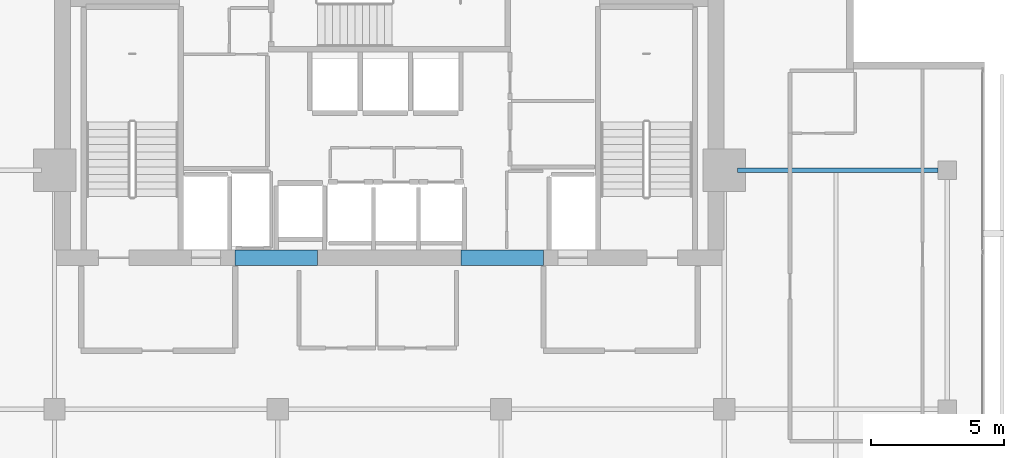
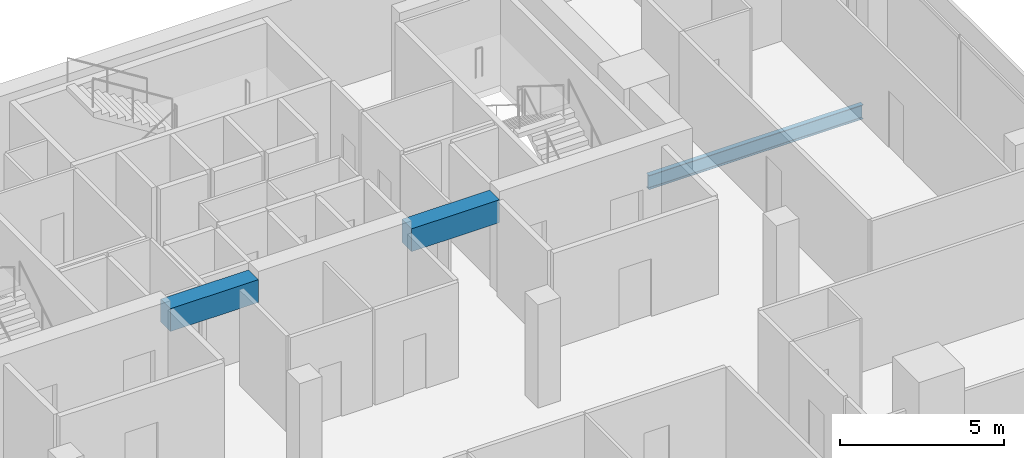
# One storey, part 17 of 26: 3 beams.
"""IFC4 building model written with IfcOpenShell, lengths in metres."""

import ifcopenshell
import ifcopenshell.guid

model = None  # the IFC model being written
_history = None  # IfcOwnerHistory: only IFC2X3 demands one
_inside = {}  # id of a spatial element -> (the spatial element, [elements in it])
_under = {}  # id of a project, library or spatial element -> (it, [spatial elements below it])
_declared = {}  # id of a project -> (the project, [libraries it declares])
_typed = {}  # id of a type object -> (the type object, [elements of that type])
_made_of = {}  # id of a material, layer set ... -> (it, [elements and type objects made of it])


def new_model(schema):
    """Start an empty IFC model of exactly this schema.

    Asked for "IFC4X3", IfcOpenShell would pick the latest addendum, in which some entities
    have other attributes; the version numbers below select the first issue.
    IFC2X3 requires an IfcOwnerHistory on every rooted entity: one is made here for all.
    """
    global model, _history
    if schema == "IFC4X3":
        model = ifcopenshell.file(schema_version=(4, 3, 0, 0))
    else:
        model = ifcopenshell.file(schema=schema)
    _inside.clear()
    _under.clear()
    _declared.clear()
    _typed.clear()
    _made_of.clear()
    _history = None
    if model.schema == "IFC2X3":
        org = make("IfcOrganization", Name="unknown")
        user = make(
            "IfcPersonAndOrganization",
            ThePerson=make("IfcPerson", FamilyName="unknown"),
            TheOrganization=org,
        )
        app = make(
            "IfcApplication",
            ApplicationDeveloper=org,
            Version="unknown",
            ApplicationFullName="unknown",
            ApplicationIdentifier="unknown",
        )
        _history = make(
            "IfcOwnerHistory",
            OwningUser=user,
            OwningApplication=app,
            ChangeAction="ADDED",
            CreationDate=0,
        )
    return model


def make(cls, **values):
    """One entity of the class cls with the attributes given. An attribute that is None is left unset."""
    return model.create_entity(
        cls, **{name: value for name, value in values.items() if value is not None}
    )


def rooted(cls, **values):
    """An entity with a GlobalId (a new one), such as an element, a storey or a relation."""
    return make(cls, GlobalId=ifcopenshell.guid.new(), OwnerHistory=_history, **values)


def si_unit(unit_type, name, prefix=None):
    """IfcSIUnit, for example si_unit("LENGTHUNIT", "METRE", prefix="MILLI")."""
    return make("IfcSIUnit", UnitType=unit_type, Prefix=prefix, Name=name)


def assignment(units):
    """IfcUnitAssignment: the units of a project."""
    return None if units is None else make("IfcUnitAssignment", Units=units)


def point(xyz):
    """IfcCartesianPoint."""
    return None if xyz is None else make("IfcCartesianPoint", Coordinates=xyz)


def direction(xyz):
    """IfcDirection."""
    return None if xyz is None else make("IfcDirection", DirectionRatios=xyz)


def frame(location, z_axis=None, x_axis=None):
    """IfcAxis2Placement3D, a coordinate frame: its origin and axes. An axis left out is left unset."""
    return make(
        "IfcAxis2Placement3D",
        Location=point(location),
        Axis=direction(z_axis),
        RefDirection=direction(x_axis),
    )


def frame_2d(location, x_axis=None):
    """IfcAxis2Placement2D, a coordinate frame in the plane: its origin and x axis."""
    return make(
        "IfcAxis2Placement2D", Location=point(location), RefDirection=direction(x_axis)
    )


def origin():
    """The frame at (0, 0, 0) with its axes left unset."""
    return frame((0.0, 0.0, 0.0))


def origin_2d():
    """The frame at (0, 0) in the plane with its x axis left unset."""
    return frame_2d((0.0, 0.0))


def place(relative_to, where):
    """IfcLocalPlacement: puts the frame where relative to a parent placement (None: the world)."""
    return make(
        "IfcLocalPlacement", PlacementRelTo=relative_to, RelativePlacement=where
    )


def context(
    kind, dimensions, precision=None, world=None, true_north=None, identifier=None
):
    """IfcGeometricRepresentationContext, for example the 3D "Model" context."""
    return make(
        "IfcGeometricRepresentationContext",
        ContextIdentifier=identifier,
        ContextType=kind,
        CoordinateSpaceDimension=dimensions,
        Precision=precision,
        WorldCoordinateSystem=world,
        TrueNorth=true_north,
    )


def subcontext(parent, identifier, kind, view, scale=None):
    """IfcGeometricRepresentationSubContext, for example "Body" below "Model"."""
    return make(
        "IfcGeometricRepresentationSubContext",
        ContextIdentifier=identifier,
        ContextType=kind,
        ParentContext=parent,
        TargetScale=scale,
        TargetView=view,
    )


def project(units=None, contexts=None):
    """IfcProject with its units and contexts."""
    return rooted(
        "IfcProject",
        Name="project",
        RepresentationContexts=contexts,
        UnitsInContext=assignment(units),
    )


def spatial(cls, under=None, at=None, **own):
    """A site, building, storey or space (cls), placed at a placement, below another one or the project."""
    s = rooted(cls, ObjectPlacement=at, **own)
    if under is not None:
        _under.setdefault(under.id(), (under, []))[1].append(s)
    return s


def profile(cls, at=None, kind="AREA", **sizes):
    """A parametric profile (cls). Its sizes go by their IFC names, for example OverallWidth=200.0."""
    return make(cls, ProfileType=kind, Position=at, **sizes)


def rectangle(**sizes):
    """IfcRectangleProfileDef."""
    return profile("IfcRectangleProfileDef", **sizes)


def i_section(**sizes):
    """IfcIShapeProfileDef."""
    return profile("IfcIShapeProfileDef", **sizes)


def extrude(swept, where, along, depth):
    """IfcExtrudedAreaSolid: the profile swept, set in the frame where, extruded along a direction by depth."""
    return make(
        "IfcExtrudedAreaSolid",
        SweptArea=swept,
        Position=where,
        ExtrudedDirection=direction(along),
        Depth=depth,
    )


def shape(context_of_items, identifier, shape_type, items):
    """IfcShapeRepresentation: the items that make up one representation, for example the "Body"."""
    return make(
        "IfcShapeRepresentation",
        ContextOfItems=context_of_items,
        RepresentationIdentifier=identifier,
        RepresentationType=shape_type,
        Items=items,
    )


def material(Name=None, Category=None):
    """IfcMaterial."""
    return make("IfcMaterial", Name=Name, Category=Category)


def material_profile(
    of_material, cross_section, Name=None, Category=None, Priority=None
):
    """IfcMaterialProfile: a cross section and its material."""
    return make(
        "IfcMaterialProfile",
        Name=Name,
        Material=of_material,
        Profile=cross_section,
        Priority=Priority,
        Category=Category,
    )


def profile_set(profiles, Name=None, composite=None):
    """IfcMaterialProfileSet."""
    return make(
        "IfcMaterialProfileSet",
        Name=Name,
        MaterialProfiles=profiles,
        CompositeProfile=composite,
    )


def made_of(thing, what):
    """Note that an element or type object is made of a material, layer set ...; save() writes the relation."""
    if what is not None:
        _made_of.setdefault(what.id(), (what, []))[1].append(thing)
    return thing


def type_object(cls, material=None, **own):
    """A type object (cls), such as IfcWallType, which elements share."""
    return made_of(rooted(cls, **own), material)


def element(
    cls,
    number,
    at=None,
    inside=None,
    cuts=None,
    type_object=None,
    material=None,
    context=None,
    identifier="Body",
    shape_type=None,
    held_by="IfcProductDefinitionShape",
    body=None,
    shapes=None,
    **own,
):
    """One element of the class cls, such as IfcWall. Its Tag is "e" and its number.

    at: its placement. inside: the storey or other place that contains it. cuts: it is an
    opening in that element (IfcRelVoidsElement). A single representation is given by context,
    identifier, shape_type and body (its items); several are given by shapes. held_by: the class
    of the entity that holds the representations. save() writes the other relations.
    """
    e = rooted(cls, Tag="e%d" % number, ObjectPlacement=at, **own)
    if body is not None:
        shapes = [shape(context, identifier, shape_type, body)]
    if shapes is not None:
        e.Representation = make(held_by, Representations=shapes)
    if inside is not None:
        _inside.setdefault(inside.id(), (inside, []))[1].append(e)
    if cuts is not None:
        rooted(
            "IfcRelVoidsElement", RelatingBuildingElement=cuts, RelatedOpeningElement=e
        )
    if type_object is not None:
        _typed.setdefault(type_object.id(), (type_object, []))[1].append(e)
    return made_of(e, material)


def aggregate(whole, parts):
    """IfcRelAggregates: a whole, such as a stair, and the parts it consists of."""
    return rooted("IfcRelAggregates", RelatingObject=whole, RelatedObjects=parts)


def save(model, path):
    """Write the relations noted so far, then the file.

    IfcRelAggregates (storeys below a building ...), IfcRelContainedInSpatialStructure (elements
    in a storey), IfcRelDefinesByType, IfcRelAssociatesMaterial and IfcRelDeclares: one each for
    every whole, place, type object, material and project.
    """
    for whole, parts in _under.values():
        aggregate(whole, parts)
    for where, things in _inside.values():
        rooted(
            "IfcRelContainedInSpatialStructure",
            RelatedElements=things,
            RelatingStructure=where,
        )
    for kind, things in _typed.values():
        rooted("IfcRelDefinesByType", RelatedObjects=things, RelatingType=kind)
    for what, things in _made_of.values():
        rooted("IfcRelAssociatesMaterial", RelatedObjects=things, RelatingMaterial=what)
    for by, libraries in _declared.values():
        rooted("IfcRelDeclares", RelatingContext=by, RelatedDefinitions=libraries)
    model.write(path)


model = new_model("IFC4")

# Units and contexts
model_context = context("Model", 3, precision=1e-05, world=origin(), true_north=direction((0.0, 1.0)))
body_context = subcontext(model_context, "Body", "Model", "MODEL_VIEW")
ifc_project = project(units=[si_unit("LENGTHUNIT", "METRE"), si_unit("AREAUNIT", "SQUARE_METRE"), si_unit("VOLUMEUNIT", "CUBIC_METRE"), si_unit("PLANEANGLEUNIT", "RADIAN"), si_unit("MASSUNIT", "GRAM", prefix="KILO")], contexts=[model_context])

# Site, building, storey
site_placement = place(None, origin())
site = spatial("IfcSite", under=ifc_project, at=site_placement, CompositionType="ELEMENT")
building_placement = place(site_placement, origin())
building = spatial("IfcBuilding", under=site, at=building_placement, Name="Maruvema Waterfront Hotel and Observation Tower", CompositionType="ELEMENT")
storey_placement = place(building_placement, frame((0.0, 0.0, 312.550048828125)))
storey = spatial("IfcBuildingStorey", under=building, at=storey_placement, Name="L77", CompositionType="ELEMENT", Elevation=312.550048828125)

# Beams
ifc_material_1 = material(Name="Concrete C60/75", Category="concrete")
ifc_material_profile_1 = material_profile(ifc_material_1, rectangle(XDim=0.60009765625, YDim=0.85009765625, at=origin_2d()), Name="CB600x850")
ifc_profile_set_1 = profile_set([ifc_material_profile_1], Name="Concrete C60/75")
beam_type_1 = type_object("IfcBeamType", Name="Core Coupling Lintel Beam CB600x850", PredefinedType="LINTEL", material=ifc_profile_set_1)
for number, where, z_axis, x_axis, name in (
    (1, (32.0, 41.699951171875, 3.125), (1.0, 0.0, 0.0), (0.0, 1.0, 0.0), "L77 Core Coupling Lintel Beam West"),
    (2, (40.5, 41.699951171875, 3.125), (1.0, 0.0, 0.0), (0.0, 1.0, 0.0), "L77 Core Coupling Lintel Beam East"),
):
    element("IfcBeam", number, at=place(storey_placement, frame(where, z_axis=z_axis, x_axis=x_axis)), inside=storey, type_object=beam_type_1, Name=name, PredefinedType="LINTEL", context=body_context, shape_type="SweptSolid", body=[
        extrude(rectangle(XDim=0.60009765625, YDim=0.85009765625, at=origin_2d()), origin(), (0.0, 0.0, 1.0), 3.10009765625),
    ])
ifc_material_2 = material(Name="Steel ASTM A572 Grade 50", Category="steel")
ifc_material_profile_2 = material_profile(ifc_material_2, i_section(OverallWidth=0.166015625, OverallDepth=0.529052734375, WebThickness=0.009765625, FlangeThickness=0.013671875, FilletRadius=0.014892578125, at=origin_2d()), Name="W530x74.0")
ifc_profile_set_2 = profile_set([ifc_material_profile_2], Name="Steel ASTM A572 Grade 50")
beam_type_2 = type_object("IfcBeamType", Name="Primary Floor Girder W530x74.0", PredefinedType="BEAM", material=ifc_profile_set_2)
beam_placement = place(storey_placement, frame((50.89990234375, 45.0, -0.504638671875), z_axis=(1.0, 0.0, 0.0), x_axis=(0.0, 1.0, 0.0)))
element("IfcBeam", 3, at=beam_placement, inside=storey, type_object=beam_type_2, Name="L77 Floor Girder EW-18", PredefinedType="BEAM", context=body_context, shape_type="SweptSolid", body=[
    extrude(i_section(OverallWidth=0.166015625, OverallDepth=0.529052734375, WebThickness=0.009765625, FlangeThickness=0.013671875, FilletRadius=0.014892578125, at=origin_2d()), origin(), (0.0, 0.0, 1.0), 7.550048828125),
])

save(model, "model.ifc")
